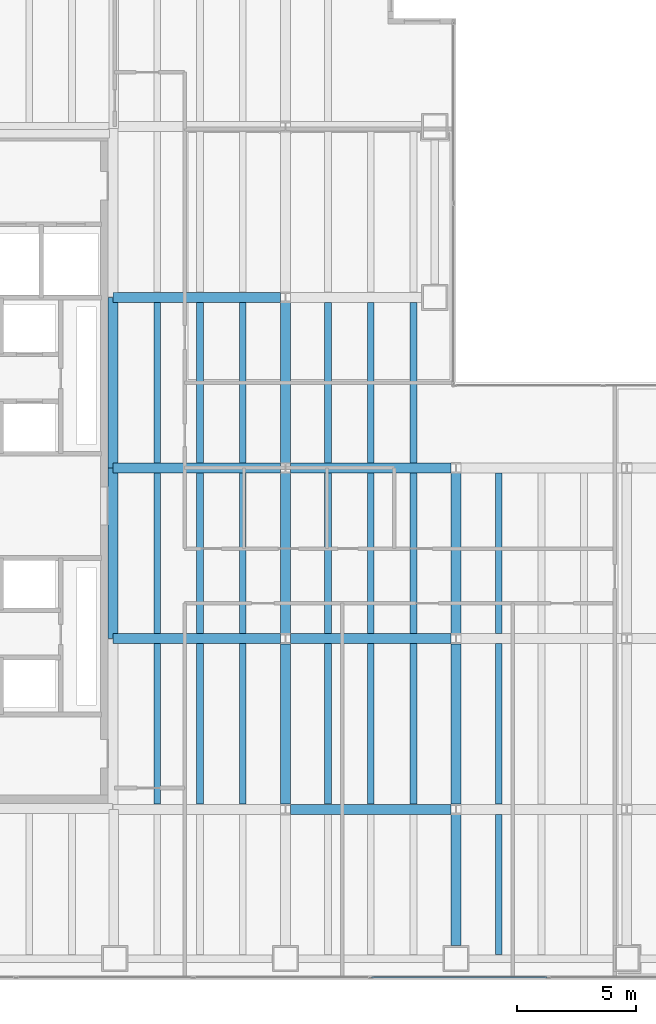
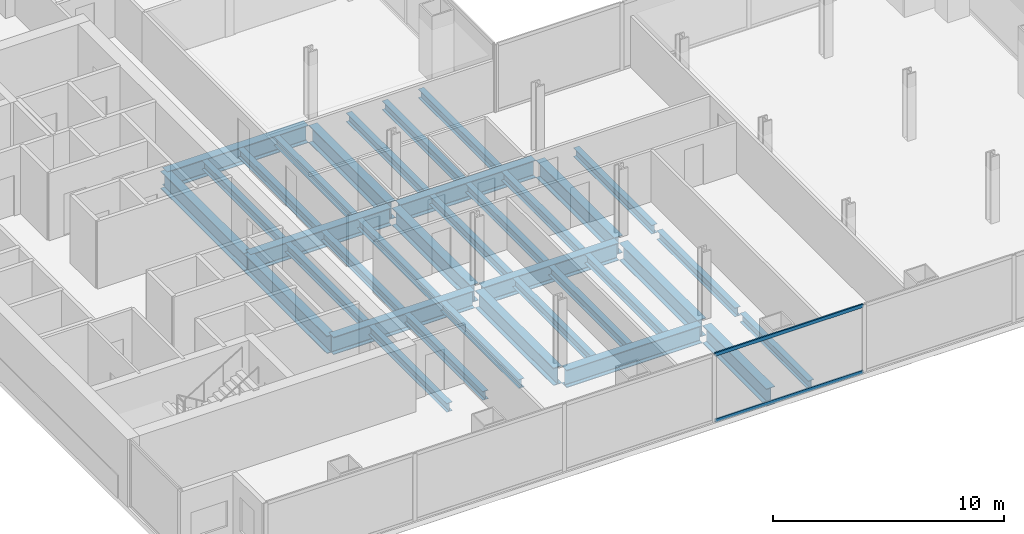
# One storey, part 5 of 25: 35 beams, 2 members, 1 element without a shape of its own.
"""IFC4 building model written with IfcOpenShell, lengths in metres."""

from ifc_helpers import new_model, si_unit, direction, frame, origin, origin_2d, place, context, subcontext, project, spatial, hollow_rectangle, i_section, extrude, material, material_profile, profile_set, type_object, element, aggregate, save


model = new_model("IFC4")

# Units and contexts
model_context = context("Model", 3, precision=1e-05, world=origin(), true_north=direction((0.0, 1.0)))
body_context = subcontext(model_context, "Body", "Model", "MODEL_VIEW")
ifc_project = project(units=[si_unit("LENGTHUNIT", "METRE"), si_unit("AREAUNIT", "SQUARE_METRE"), si_unit("VOLUMEUNIT", "CUBIC_METRE"), si_unit("PLANEANGLEUNIT", "RADIAN"), si_unit("MASSUNIT", "GRAM", prefix="KILO")], contexts=[model_context])

# Site, building, storey
site_placement = place(None, origin())
site = spatial("IfcSite", under=ifc_project, at=site_placement, CompositionType="ELEMENT")
building_placement = place(site_placement, origin())
building = spatial("IfcBuilding", under=site, at=building_placement, Name="Cobrela Telecom Tower", CompositionType="ELEMENT")
storey_placement = place(building_placement, frame((0.0, 0.0, 42.699951171875)))
storey = spatial("IfcBuildingStorey", under=building, at=storey_placement, Name="L10", CompositionType="ELEMENT", Elevation=42.699951171875)

# Beams
ifc_material_1 = material(Name="Steel ASTM A992 Grade 50", Category="steel")
ifc_material_profile_1 = material_profile(ifc_material_1, i_section(OverallWidth=0.4189453125, OverallDepth=0.927001953125, WebThickness=0.019287109375, FlangeThickness=0.031982421875, FilletRadius=0.02392578125, at=origin_2d()), Name="W36X231")
ifc_profile_set_1 = profile_set([ifc_material_profile_1], Name="Steel ASTM A992 Grade 50")
beam_type_1 = type_object("IfcBeamType", Name="BM-GIRD-02", PredefinedType="USERDEFINED", material=ifc_profile_set_1)
beam_1_placement = place(storey_placement, frame((21.81591796875, 7.199951171875, -0.743408203125), z_axis=(1.0, 0.0, 0.0), x_axis=(0.0, 1.0, 0.0)))
element("IfcBeam", 1, at=beam_1_placement, inside=storey, type_object=beam_type_1, Name="L10 Primary Girder X09", ObjectType="GIRDER", PredefinedType="USERDEFINED", context=body_context, shape_type="SweptSolid", body=[
    extrude(i_section(OverallWidth=0.4189453125, OverallDepth=0.927001953125, WebThickness=0.019287109375, FlangeThickness=0.031982421875, FilletRadius=0.02392578125, at=origin_2d()), origin(), (0.0, 0.0, 1.0), 6.76806640625),
])
beam_2_placement = place(storey_placement, frame((14.324951171875, 14.39990234375, -0.743408203125), z_axis=(1.0, 0.0, 0.0), x_axis=(0.0, 1.0, 0.0)))
element("IfcBeam", 2, at=beam_2_placement, inside=storey, type_object=beam_type_1, Name="L10 Primary Girder X13", ObjectType="GIRDER", PredefinedType="USERDEFINED", context=body_context, shape_type="SweptSolid", body=[
    extrude(i_section(OverallWidth=0.4189453125, OverallDepth=0.927001953125, WebThickness=0.019287109375, FlangeThickness=0.031982421875, FilletRadius=0.02392578125, at=origin_2d()), origin(), (0.0, 0.0, 1.0), 7.05908203125),
])
beam_3_placement = place(storey_placement, frame((21.81591796875, 14.39990234375, -0.743408203125), z_axis=(1.0, 0.0, 0.0), x_axis=(0.0, 1.0, 0.0)))
element("IfcBeam", 3, at=beam_3_placement, inside=storey, type_object=beam_type_1, Name="L10 Primary Girder X14", ObjectType="GIRDER", PredefinedType="USERDEFINED", context=body_context, shape_type="SweptSolid", body=[
    extrude(i_section(OverallWidth=0.4189453125, OverallDepth=0.927001953125, WebThickness=0.019287109375, FlangeThickness=0.031982421875, FilletRadius=0.02392578125, at=origin_2d()), origin(), (0.0, 0.0, 1.0), 6.76806640625),
])
beam_4_placement = place(storey_placement, frame((14.324951171875, 21.60009765625, -0.743408203125), z_axis=(1.0, 0.0, 0.0), x_axis=(0.0, 1.0, 0.0)))
element("IfcBeam", 4, at=beam_4_placement, inside=storey, type_object=beam_type_1, Name="L10 Primary Girder X18", ObjectType="GIRDER", PredefinedType="USERDEFINED", context=body_context, shape_type="SweptSolid", body=[
    extrude(i_section(OverallWidth=0.4189453125, OverallDepth=0.927001953125, WebThickness=0.019287109375, FlangeThickness=0.031982421875, FilletRadius=0.02392578125, at=origin_2d()), origin(), (0.0, 0.0, 1.0), 7.05908203125),
])
beam_5_placement = place(storey_placement, frame((21.81591796875, 21.60009765625, -0.743408203125), z_axis=(1.0, 0.0, 0.0), x_axis=(0.0, 1.0, 0.0)))
element("IfcBeam", 5, at=beam_5_placement, inside=storey, type_object=beam_type_1, Name="L10 Primary Girder X19", ObjectType="GIRDER", PredefinedType="USERDEFINED", context=body_context, shape_type="SweptSolid", body=[
    extrude(i_section(OverallWidth=0.4189453125, OverallDepth=0.927001953125, WebThickness=0.019287109375, FlangeThickness=0.031982421875, FilletRadius=0.02392578125, at=origin_2d()), origin(), (0.0, 0.0, 1.0), 6.76806640625),
])
beam_6_placement = place(storey_placement, frame((14.324951171875, 28.800048828125, -0.743408203125), z_axis=(1.0, 0.0, 0.0), x_axis=(0.0, 1.0, 0.0)))
element("IfcBeam", 6, at=beam_6_placement, inside=storey, type_object=beam_type_1, Name="L10 Primary Girder X23", ObjectType="GIRDER", PredefinedType="USERDEFINED", context=body_context, shape_type="SweptSolid", body=[
    extrude(i_section(OverallWidth=0.4189453125, OverallDepth=0.927001953125, WebThickness=0.019287109375, FlangeThickness=0.031982421875, FilletRadius=0.02392578125, at=origin_2d()), origin(), (0.0, 0.0, 1.0), 7.05908203125),
])
for number, where, z_axis, x_axis, name in (
    (7, (14.320068359375, 14.405029296875, -0.743408203125), (0.0, 1.0, 0.0), (-1.0, 0.0, 0.0), "L10 Primary Girder Y36"),
    (8, (14.320068359375, 21.60498046875, -0.743408203125), (0.0, 1.0, 0.0), (-1.0, 0.0, 0.0), "L10 Primary Girder Y37"),
):
    element("IfcBeam", number, at=place(storey_placement, frame(where, z_axis=z_axis, x_axis=x_axis)), inside=storey, type_object=beam_type_1, Name=name, ObjectType="GIRDER", PredefinedType="USERDEFINED", context=body_context, shape_type="SweptSolid", body=[
        extrude(i_section(OverallWidth=0.4189453125, OverallDepth=0.927001953125, WebThickness=0.019287109375, FlangeThickness=0.031982421875, FilletRadius=0.02392578125, at=origin_2d()), origin(), (0.0, 0.0, 1.0), 7.18994140625),
    ])
for number, where, z_axis, x_axis, name in (
    (9, (21.60009765625, 7.416015625, -0.743408203125), (0.0, 1.0, 0.0), (-1.0, 0.0, 0.0), "L10 Primary Girder Y41"),
    (10, (21.60009765625, 14.615966796875, -0.743408203125), (0.0, 1.0, 0.0), (-1.0, 0.0, 0.0), "L10 Primary Girder Y42"),
    (11, (21.60009765625, 21.81591796875, -0.743408203125), (0.0, 1.0, 0.0), (-1.0, 0.0, 0.0), "L10 Primary Girder Y43"),
):
    element("IfcBeam", number, at=place(storey_placement, frame(where, z_axis=z_axis, x_axis=x_axis)), inside=storey, type_object=beam_type_1, Name=name, ObjectType="GIRDER", PredefinedType="USERDEFINED", context=body_context, shape_type="SweptSolid", body=[
        extrude(i_section(OverallWidth=0.4189453125, OverallDepth=0.927001953125, WebThickness=0.019287109375, FlangeThickness=0.031982421875, FilletRadius=0.02392578125, at=origin_2d()), origin(), (0.0, 0.0, 1.0), 6.76806640625),
    ])
beam_7_placement = place(storey_placement, frame((28.800048828125, 1.455078125, -0.743408203125), z_axis=(0.0, 1.0, 0.0), x_axis=(-1.0, 0.0, 0.0)))
element("IfcBeam", 12, at=beam_7_placement, inside=storey, type_object=beam_type_1, Name="L10 Primary Girder Y47", ObjectType="GIRDER", PredefinedType="USERDEFINED", context=body_context, shape_type="SweptSolid", body=[
    extrude(i_section(OverallWidth=0.4189453125, OverallDepth=0.927001953125, WebThickness=0.019287109375, FlangeThickness=0.031982421875, FilletRadius=0.02392578125, at=origin_2d()), origin(), (0.0, 0.0, 1.0), 5.52880859375),
])
for number, where, z_axis, x_axis, name in (
    (13, (28.800048828125, 7.416015625, -0.743408203125), (0.0, 1.0, 0.0), (-1.0, 0.0, 0.0), "L10 Primary Girder Y48"),
    (14, (28.800048828125, 14.615966796875, -0.743408203125), (0.0, 1.0, 0.0), (-1.0, 0.0, 0.0), "L10 Primary Girder Y49"),
):
    element("IfcBeam", number, at=place(storey_placement, frame(where, z_axis=z_axis, x_axis=x_axis)), inside=storey, type_object=beam_type_1, Name=name, ObjectType="GIRDER", PredefinedType="USERDEFINED", context=body_context, shape_type="SweptSolid", body=[
        extrude(i_section(OverallWidth=0.4189453125, OverallDepth=0.927001953125, WebThickness=0.019287109375, FlangeThickness=0.031982421875, FilletRadius=0.02392578125, at=origin_2d()), origin(), (0.0, 0.0, 1.0), 6.76806640625),
    ])
ifc_material_profile_2 = material_profile(ifc_material_1, i_section(OverallWidth=0.281982421875, OverallDepth=0.467041015625, WebThickness=0.01220703125, FlangeThickness=0.01953125, FilletRadius=0.012939453125, at=origin_2d()), Name="W18X86")
ifc_profile_set_2 = profile_set([ifc_material_profile_2], Name="Steel ASTM A992 Grade 50")
beam_type_2 = type_object("IfcBeamType", Name="BM-JOIST-02", PredefinedType="JOIST", material=ifc_profile_set_2)
for number, where, z_axis, x_axis, name in (
    (15, (16.199951171875, 7.41455078125, -0.513427734375), (0.0, 1.0, 0.0), (-1.0, 0.0, 0.0), "L10 Secondary Composite Floor Beam J08"),
    (16, (16.199951171875, 14.614501953125, -0.513427734375), (0.0, 1.0, 0.0), (-1.0, 0.0, 0.0), "L10 Secondary Composite Floor Beam J09"),
    (17, (16.199951171875, 21.814453125, -0.513427734375), (0.0, 1.0, 0.0), (-1.0, 0.0, 0.0), "L10 Secondary Composite Floor Beam J10"),
    (18, (18.0, 7.41455078125, -0.513427734375), (0.0, 1.0, 0.0), (-1.0, 0.0, 0.0), "L10 Secondary Composite Floor Beam J14"),
    (19, (18.0, 14.614501953125, -0.513427734375), (0.0, 1.0, 0.0), (-1.0, 0.0, 0.0), "L10 Secondary Composite Floor Beam J15"),
    (20, (18.0, 21.814453125, -0.513427734375), (0.0, 1.0, 0.0), (-1.0, 0.0, 0.0), "L10 Secondary Composite Floor Beam J16"),
    (21, (19.800048828125, 7.41455078125, -0.513427734375), (0.0, 1.0, 0.0), (-1.0, 0.0, 0.0), "L10 Secondary Composite Floor Beam J20"),
    (22, (19.800048828125, 14.614501953125, -0.513427734375), (0.0, 1.0, 0.0), (-1.0, 0.0, 0.0), "L10 Secondary Composite Floor Beam J21"),
    (23, (19.800048828125, 21.814453125, -0.513427734375), (0.0, 1.0, 0.0), (-1.0, 0.0, 0.0), "L10 Secondary Composite Floor Beam J22"),
    (24, (23.39990234375, 7.41455078125, -0.513427734375), (0.0, 1.0, 0.0), (-1.0, 0.0, 0.0), "L10 Secondary Composite Floor Beam J26"),
    (25, (23.39990234375, 14.614501953125, -0.513427734375), (0.0, 1.0, 0.0), (-1.0, 0.0, 0.0), "L10 Secondary Composite Floor Beam J27"),
    (26, (23.39990234375, 21.814453125, -0.513427734375), (0.0, 1.0, 0.0), (-1.0, 0.0, 0.0), "L10 Secondary Composite Floor Beam J28"),
    (27, (25.199951171875, 7.41455078125, -0.513427734375), (0.0, 1.0, 0.0), (-1.0, 0.0, 0.0), "L10 Secondary Composite Floor Beam J32"),
    (28, (25.199951171875, 14.614501953125, -0.513427734375), (0.0, 1.0, 0.0), (-1.0, 0.0, 0.0), "L10 Secondary Composite Floor Beam J33"),
    (29, (25.199951171875, 21.814453125, -0.513427734375), (0.0, 1.0, 0.0), (-1.0, 0.0, 0.0), "L10 Secondary Composite Floor Beam J34"),
    (30, (27.0, 7.41455078125, -0.513427734375), (0.0, 1.0, 0.0), (-1.0, 0.0, 0.0), "L10 Secondary Composite Floor Beam J37"),
    (31, (27.0, 14.614501953125, -0.513427734375), (0.0, 1.0, 0.0), (-1.0, 0.0, 0.0), "L10 Secondary Composite Floor Beam J38"),
    (32, (27.0, 21.814453125, -0.513427734375), (0.0, 1.0, 0.0), (-1.0, 0.0, 0.0), "L10 Secondary Composite Floor Beam J39"),
):
    element("IfcBeam", number, at=place(storey_placement, frame(where, z_axis=z_axis, x_axis=x_axis)), inside=storey, type_object=beam_type_2, Name=name, PredefinedType="JOIST", context=body_context, shape_type="SweptSolid", body=[
        extrude(i_section(OverallWidth=0.281982421875, OverallDepth=0.467041015625, WebThickness=0.01220703125, FlangeThickness=0.01953125, FilletRadius=0.012939453125, at=origin_2d()), origin(), (0.0, 0.0, 1.0), 6.77099609375),
    ])
beam_8_placement = place(storey_placement, frame((30.60009765625, 1.0673828125, -0.513427734375), z_axis=(0.0, 1.0, 0.0), x_axis=(-1.0, 0.0, 0.0)))
element("IfcBeam", 33, at=beam_8_placement, inside=storey, type_object=beam_type_2, Name="L10 Secondary Composite Floor Beam J41", PredefinedType="JOIST", context=body_context, shape_type="SweptSolid", body=[
    extrude(i_section(OverallWidth=0.281982421875, OverallDepth=0.467041015625, WebThickness=0.01220703125, FlangeThickness=0.01953125, FilletRadius=0.012939453125, at=origin_2d()), origin(), (0.0, 0.0, 1.0), 5.918212890625),
])
for number, where, z_axis, x_axis, name in (
    (34, (30.60009765625, 7.41455078125, -0.513427734375), (0.0, 1.0, 0.0), (-1.0, 0.0, 0.0), "L10 Secondary Composite Floor Beam J42"),
    (35, (30.60009765625, 14.614501953125, -0.513427734375), (0.0, 1.0, 0.0), (-1.0, 0.0, 0.0), "L10 Secondary Composite Floor Beam J43"),
):
    element("IfcBeam", number, at=place(storey_placement, frame(where, z_axis=z_axis, x_axis=x_axis)), inside=storey, type_object=beam_type_2, Name=name, PredefinedType="JOIST", context=body_context, shape_type="SweptSolid", body=[
        extrude(i_section(OverallWidth=0.281982421875, OverallDepth=0.467041015625, WebThickness=0.01220703125, FlangeThickness=0.01953125, FilletRadius=0.012939453125, at=origin_2d()), origin(), (0.0, 0.0, 1.0), 6.77099609375),
    ])

# Curtain wall, members
ifc_material_2 = material(Name="Anodized Bronze Aluminium 6063-T6", Category="aluminium")
curtain_wall_type = type_object("IfcCurtainWallType", Name="CW-SYS-DATA", PredefinedType="USERDEFINED", material=ifc_material_2)
curtain_wall_placement = place(storey_placement, origin())
curtain_wall = element("IfcCurtainWall", 36, at=curtain_wall_placement, inside=storey, type_object=curtain_wall_type, Name="L10 Unitised Bronze Curtain Wall 17", ObjectType="UNITISED CURTAIN WALL", PredefinedType="USERDEFINED")
ifc_material_profile_3 = material_profile(ifc_material_2, hollow_rectangle(XDim=0.074951171875, YDim=0.179931640625, WallThickness=0.00390625, at=origin_2d()), Name="ALU 75x180x4")
ifc_profile_set_3 = profile_set([ifc_material_profile_3], Name="Anodized Bronze Aluminium 6063-T6")
member_type = type_object("IfcMemberType", Name="CW-SYS-DATA-TRN", PredefinedType="USERDEFINED", material=ifc_profile_set_3)
member_1_placement = place(storey_placement, frame((32.643310546875, 0.1201171875, 0.03759765625), z_axis=(-1.0, 0.0, 0.0), x_axis=(0.0, -1.0, 0.0)))
member_1 = element("IfcMember", 37, at=member_1_placement, type_object=member_type, Name="CW-DATA transom 3.1", ObjectType="TRANSOM", PredefinedType="USERDEFINED", context=body_context, shape_type="SweptSolid", body=[
    extrude(hollow_rectangle(XDim=0.074951171875, YDim=0.179931640625, WallThickness=0.00390625, at=origin_2d()), origin(), (0.0, 0.0, 1.0), 7.4033203125),
])
member_2_placement = place(storey_placement, frame((32.643310546875, 0.1201171875, 3.532470703125), z_axis=(-1.0, 0.0, 0.0), x_axis=(0.0, -1.0, 0.0)))
member_2 = element("IfcMember", 38, at=member_2_placement, type_object=member_type, Name="CW-DATA transom 3.2", ObjectType="TRANSOM", PredefinedType="USERDEFINED", context=body_context, shape_type="SweptSolid", body=[
    extrude(hollow_rectangle(XDim=0.074951171875, YDim=0.179931640625, WallThickness=0.00390625, at=origin_2d()), origin(), (0.0, 0.0, 1.0), 7.4033203125),
])
aggregate(curtain_wall, [member_1, member_2])

save(model, "model.ifc")
